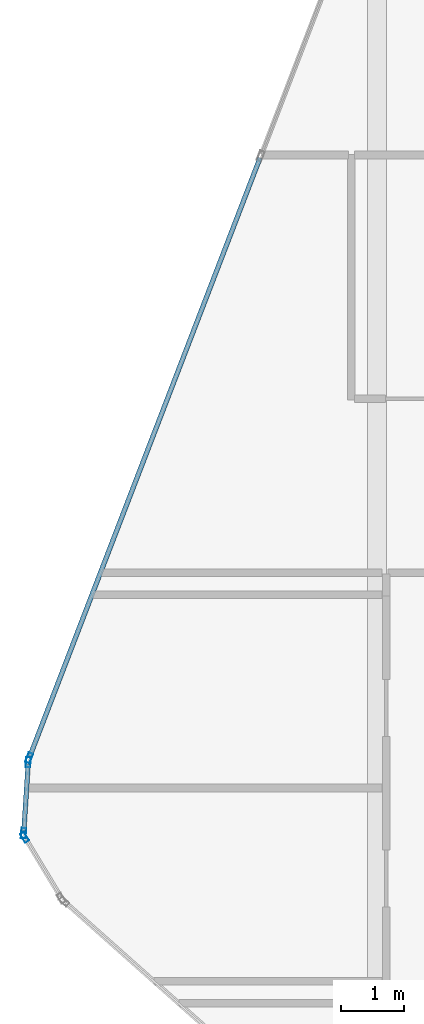
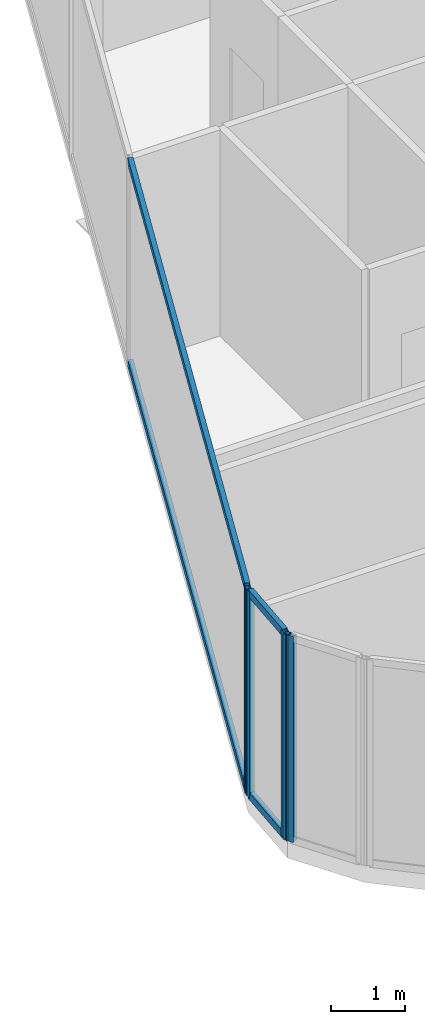
# One storey, part 8 of 27: 8 members, 3 elements without a shape of their own.
"""IFC4 building model written with IfcOpenShell, lengths in metres."""

from ifc_helpers import new_model, si_unit, direction, frame, origin, origin_2d, place, context, subcontext, project, spatial, hollow_rectangle, extrude, material, layer, layer_set, material_profile, profile_set, type_object, element, aggregate, save


model = new_model("IFC4")

# Units and contexts
model_context = context("Model", 3, precision=1e-05, world=origin(), true_north=direction((0.0, 1.0)))
body_context = subcontext(model_context, "Body", "Model", "MODEL_VIEW")
ifc_project = project(units=[si_unit("LENGTHUNIT", "METRE"), si_unit("AREAUNIT", "SQUARE_METRE"), si_unit("VOLUMEUNIT", "CUBIC_METRE"), si_unit("PLANEANGLEUNIT", "RADIAN"), si_unit("MASSUNIT", "GRAM", prefix="KILO")], contexts=[model_context])

# Site, building, storey
site_placement = place(None, origin())
site = spatial("IfcSite", under=ifc_project, at=site_placement, CompositionType="ELEMENT")
building_placement = place(site_placement, origin())
building = spatial("IfcBuilding", under=site, at=building_placement, Name="Keshet Zoharim Tower", CompositionType="ELEMENT")
storey_placement = place(building_placement, frame((0.0, 0.0, 262.10009765625)))
storey = spatial("IfcBuildingStorey", under=building, at=storey_placement, Name="L65", CompositionType="ELEMENT", Elevation=262.10009765625)

# Curtain wall, member
ifc_material = material(Name="Aluminium 6063-T6", Category="aluminium")
ifc_layer = layer(ifc_material, 0.260009765625)
ifc_layer_set = layer_set([ifc_layer], Name="Aluminium 6063-T6")
curtain_wall_type = type_object("IfcCurtainWallType", Name="CW-SYS-06", PredefinedType="NOTDEFINED", material=ifc_layer_set)
curtain_wall_1_placement = place(storey_placement, origin())
curtain_wall_1 = element("IfcCurtainWall", 1, at=curtain_wall_1_placement, inside=storey, type_object=curtain_wall_type, Name="L65 Unitised Curtain Wall 01", PredefinedType="NOTDEFINED")
ifc_material_profile_1 = material_profile(ifc_material, hollow_rectangle(XDim=0.074951171875, YDim=0.159912109375, WallThickness=0.00390625, at=origin_2d()), Name="MUL-75x160")
ifc_profile_set_1 = profile_set([ifc_material_profile_1], Name="Aluminium 6063-T6")
member_type_1 = type_object("IfcMemberType", Name="CWM-M15", PredefinedType="MULLION", material=ifc_profile_set_1)
member_1_placement = place(storey_placement, frame((3.43798828125, 22.77197265625, 0.0), z_axis=(0.0, 0.0, 1.0), x_axis=(-0.856826433805, -0.515604947933, 0.0)))
member_1 = element("IfcMember", 2, at=member_1_placement, type_object=member_type_1, Name="CW-06 mullion 2", PredefinedType="MULLION", context=body_context, shape_type="SweptSolid", body=[
    extrude(hollow_rectangle(XDim=0.074951171875, YDim=0.159912109375, WallThickness=0.00390625, at=origin_2d()), origin(), (0.0, 0.0, 1.0), 3.389892578125),
])
aggregate(curtain_wall_1, [member_1])

# Curtain wall, members
curtain_wall_2_placement = place(storey_placement, origin())
curtain_wall_2 = element("IfcCurtainWall", 3, at=curtain_wall_2_placement, inside=storey, type_object=curtain_wall_type, Name="L65 Unitised Curtain Wall 02", PredefinedType="NOTDEFINED")
member_2_placement = place(storey_placement, frame((3.42236328125, 22.8369140625, 0.0), z_axis=(0.0, 0.0, 1.0), x_axis=(-0.997916617186, 0.064516859374, 0.0)))
member_2 = element("IfcMember", 4, at=member_2_placement, type_object=member_type_1, Name="CW-06 mullion 1", PredefinedType="MULLION", context=body_context, shape_type="SweptSolid", body=[
    extrude(hollow_rectangle(XDim=0.074951171875, YDim=0.159912109375, WallThickness=0.00390625, at=origin_2d()), origin(), (0.0, 0.0, 1.0), 3.389892578125),
])
member_3_placement = place(storey_placement, frame((3.49462890625, 23.9580078125, 0.0), z_axis=(0.0, 0.0, 1.0), x_axis=(-0.997916617186, 0.064516859374, 0.0)))
member_3 = element("IfcMember", 5, at=member_3_placement, type_object=member_type_1, Name="CW-06 mullion 2", PredefinedType="MULLION", context=body_context, shape_type="SweptSolid", body=[
    extrude(hollow_rectangle(XDim=0.074951171875, YDim=0.159912109375, WallThickness=0.00390625, at=origin_2d()), origin(), (0.0, 0.0, 1.0), 3.389892578125),
])

# Curtain wall, member
curtain_wall_3_placement = place(storey_placement, origin())
curtain_wall_3 = element("IfcCurtainWall", 6, at=curtain_wall_3_placement, inside=storey, type_object=curtain_wall_type, Name="L65 Unitised Curtain Wall 03", PredefinedType="NOTDEFINED")
member_4_placement = place(storey_placement, frame((3.509521484375, 24.025634765625, 0.0), z_axis=(0.0, 0.0, 1.0), x_axis=(-0.933341404361, 0.358990003907, 0.0)))
member_4 = element("IfcMember", 7, at=member_4_placement, type_object=member_type_1, Name="CW-06 mullion 1", PredefinedType="MULLION", context=body_context, shape_type="SweptSolid", body=[
    extrude(hollow_rectangle(XDim=0.074951171875, YDim=0.159912109375, WallThickness=0.00390625, at=origin_2d()), origin(), (0.0, 0.0, 1.0), 3.389892578125),
])

# Member
ifc_material_profile_2 = material_profile(ifc_material, hollow_rectangle(XDim=0.074951171875, YDim=0.1201171875, WallThickness=0.00390625, at=origin_2d()), Name="TRN-75x120")
ifc_profile_set_2 = profile_set([ifc_material_profile_2], Name="Aluminium 6063-T6")
member_type_2 = type_object("IfcMemberType", Name="CWT-T12", PredefinedType="USERDEFINED", material=ifc_profile_set_2)
member_5_placement = place(storey_placement, frame((3.424560546875, 22.871826171875, 0.034912109375), z_axis=(0.064426947155, 0.997922426083, 0.0), x_axis=(-0.997922426083, 0.064426947155, 0.0)))
member_5 = element("IfcMember", 8, at=member_5_placement, type_object=member_type_2, Name="CW-06 transom 1.1", ObjectType="TRANSOM", PredefinedType="USERDEFINED", context=body_context, shape_type="SweptSolid", body=[
    extrude(hollow_rectangle(XDim=0.074951171875, YDim=0.1201171875, WallThickness=0.00390625, at=origin_2d()), origin(), (0.0, 0.0, 1.0), 1.053466796875),
])

member_6_placement = place(storey_placement, frame((3.424560546875, 22.871826171875, 3.35498046875), z_axis=(0.064426947155, 0.997922426083, 0.0), x_axis=(-0.997922426083, 0.064426947155, 0.0)))
member_6 = element("IfcMember", 9, at=member_6_placement, type_object=member_type_2, Name="CW-06 transom 1.2", ObjectType="TRANSOM", PredefinedType="USERDEFINED", context=body_context, shape_type="SweptSolid", body=[
    extrude(hollow_rectangle(XDim=0.074951171875, YDim=0.1201171875, WallThickness=0.00390625, at=origin_2d()), origin(), (0.0, 0.0, 1.0), 1.053466796875),
])

aggregate(curtain_wall_2, [member_2, member_3, member_5, member_6])

member_7_placement = place(storey_placement, frame((3.522216796875, 24.058349609375, 0.034912109375), z_axis=(0.358993631387, 0.93334000912, 0.0), x_axis=(-0.93334000912, 0.358993631387, 0.0)))
member_7 = element("IfcMember", 10, at=member_7_placement, type_object=member_type_2, Name="CW-06 transom 1.1", ObjectType="TRANSOM", PredefinedType="USERDEFINED", context=body_context, shape_type="SweptSolid", body=[
    extrude(hollow_rectangle(XDim=0.074951171875, YDim=0.1201171875, WallThickness=0.00390625, at=origin_2d()), origin(), (0.0, 0.0, 1.0), 10.1181640625),
])

member_8_placement = place(storey_placement, frame((3.522216796875, 24.058349609375, 3.35498046875), z_axis=(0.358993631387, 0.93334000912, 0.0), x_axis=(-0.93334000912, 0.358993631387, 0.0)))
member_8 = element("IfcMember", 11, at=member_8_placement, type_object=member_type_2, Name="CW-06 transom 1.2", ObjectType="TRANSOM", PredefinedType="USERDEFINED", context=body_context, shape_type="SweptSolid", body=[
    extrude(hollow_rectangle(XDim=0.074951171875, YDim=0.1201171875, WallThickness=0.00390625, at=origin_2d()), origin(), (0.0, 0.0, 1.0), 10.1181640625),
])

aggregate(curtain_wall_3, [member_4, member_7, member_8])

save(model, "model.ifc")
